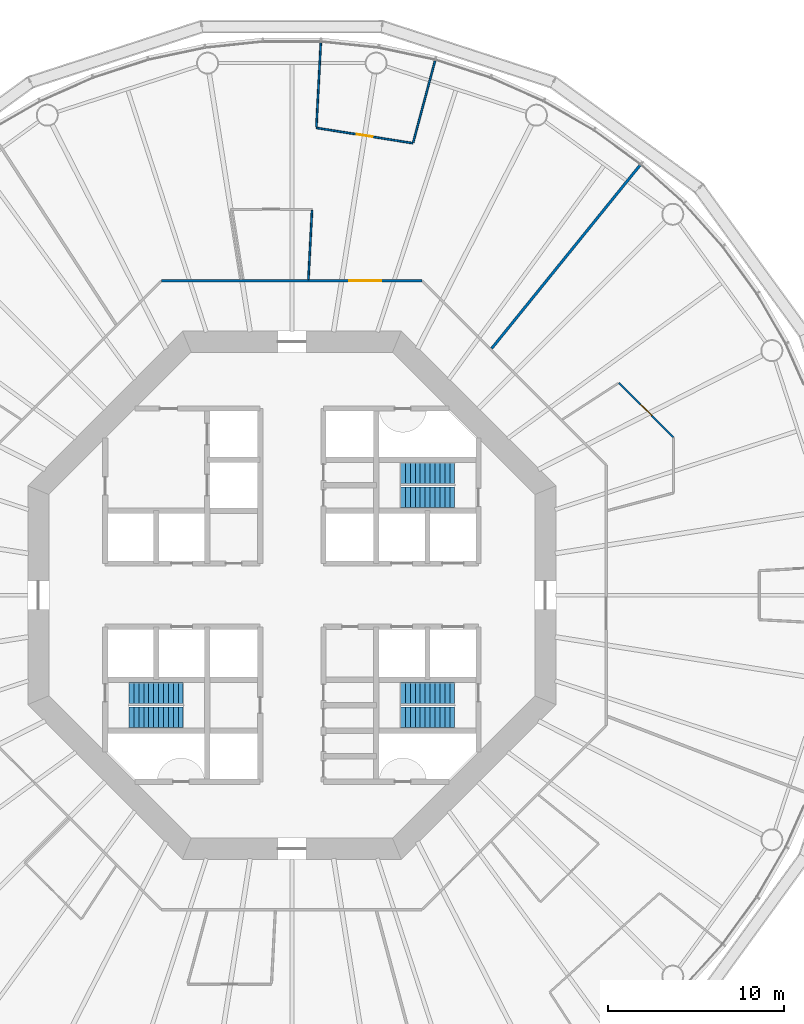
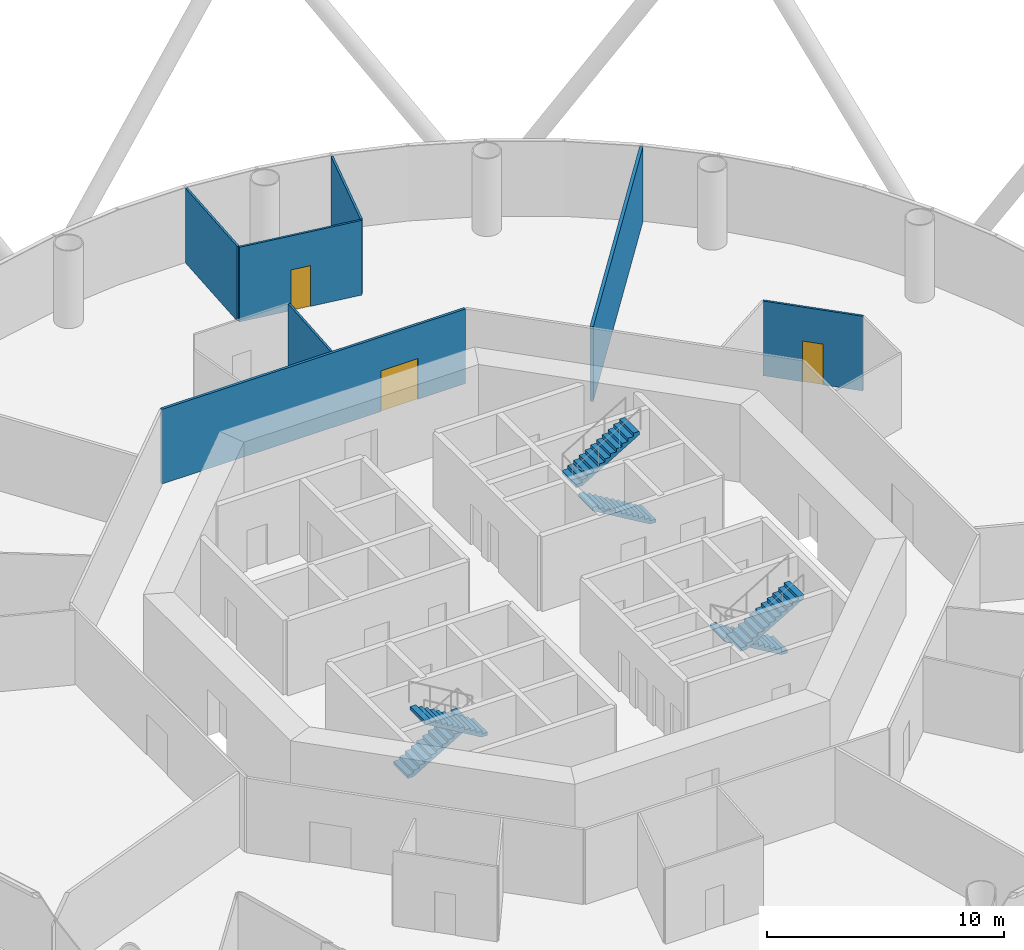
# One storey, part 6 of 13: 7 walls, 6 stair flights, 3 doors, 3 openings, 3 elements without a shape of their own.
"""IFC4 building model written with IfcOpenShell, lengths in metres."""

from ifc_helpers import new_model, si_unit, direction, frame, frame_2d, origin, place, context, subcontext, project, spatial, polyline, rectangle, outline, extrude, material, layer, layer_set, type_object, element, fill, aggregate, save


model = new_model("IFC4")

# Units and contexts
model_context = context("Model", 3, precision=1e-05, world=origin(), true_north=direction((0.0, 1.0)))
body_context = subcontext(model_context, "Body", "Model", "MODEL_VIEW")
ifc_project = project(units=[si_unit("LENGTHUNIT", "METRE"), si_unit("AREAUNIT", "SQUARE_METRE"), si_unit("VOLUMEUNIT", "CUBIC_METRE"), si_unit("PLANEANGLEUNIT", "RADIAN"), si_unit("MASSUNIT", "GRAM", prefix="KILO")], contexts=[model_context])

# Site, building, storey
site_placement = place(None, origin())
site = spatial("IfcSite", under=ifc_project, at=site_placement, CompositionType="ELEMENT")
building_placement = place(site_placement, origin())
building = spatial("IfcBuilding", under=site, at=building_placement, Name="Entoto Ring Tower", CompositionType="ELEMENT")
storey_placement = place(building_placement, frame((0.0, 0.0, 116.0)))
storey = spatial("IfcBuildingStorey", under=building, at=storey_placement, Name="L26", CompositionType="ELEMENT", Elevation=116.0)

# Wall, opening, door
ifc_material_1 = material(Name="Fire-resisting plasterboard on steel studs", Category="steel")
ifc_layer_1 = layer(ifc_material_1, 0.125)
ifc_layer_set_1 = layer_set([ifc_layer_1], Name="Fire-resisting plasterboard on steel studs")
wall_type_1 = type_object("IfcWallType", Name="Corridor wall 125 mm one-hour plasterboard on steel studs", PredefinedType="PARTITIONING", material=ifc_layer_set_1)
wall_1_placement = place(storey_placement, frame((82.60107421875, 97.862548828125, 0.0), z_axis=(0.0, 0.0, 1.0), x_axis=(1.0, 0.0, 0.0)))
wall_1 = element("IfcWall", 1, at=wall_1_placement, inside=storey, type_object=wall_type_1, Name="partition-L26-003", PredefinedType="PARTITIONING", context=body_context, shape_type="SweptSolid", body=[
    extrude(rectangle(XDim=14.7978515625, YDim=0.125, at=frame_2d((7.39892578125, 0.0))), origin(), (0.0, 0.0, 1.0), 3.85009765625),
])
opening_1_placement = place(wall_1_placement, frame((10.66650390625, 0.0, 0.0)))
opening_1 = element("IfcOpeningElement", 2, at=opening_1_placement, cuts=wall_1, Name="Opening A11-D04", PredefinedType="OPENING", context=body_context, shape_type="SweptSolid", body=[
    extrude(rectangle(XDim=1.800048828125, YDim=2.10009765625, at=frame_2d((0.89990234375, 1.050048828125))), frame((0.0, 0.072509765625, 0.0), z_axis=(0.0, -1.0, 0.0), x_axis=(1.0, 0.0, 0.0)), (0.0, 0.0, 1.0), 0.14501953125),
])
ifc_material_2 = material(Name="Fire-resisting timber door set", Category="wood")
door_type_1 = type_object("IfcDoorType", Name="Door 1800 x 2100 double leaf FD30S fire door", OperationType="DOUBLE_DOOR_SINGLE_SWING", PredefinedType="DOOR", material=ifc_material_2)
door_1_placement = place(opening_1_placement, origin())
door_1 = element("IfcDoor", 3, at=door_1_placement, inside=storey, type_object=door_type_1, Name="Door A11-D04", OperationType="DOUBLE_DOOR_SINGLE_SWING", OverallHeight=2.10009765625, OverallWidth=1.800048828125, PredefinedType="DOOR", context=body_context, shape_type="SweptSolid", body=[
    extrude(rectangle(XDim=1.800048828125, YDim=2.10009765625, at=frame_2d((0.89990234375, 1.050048828125))), frame((0.0, 0.02490234375, 0.0), z_axis=(0.0, -1.0, 0.0), x_axis=(1.0, 0.0, 0.0)), (0.0, 0.0, 1.0), 0.050048828125),
])
fill(opening_1, door_1)

ifc_material_3 = material(Name="Plasterboard on steel studs", Category="steel")
ifc_layer_2 = layer(ifc_material_3, 0.10009765625)
ifc_layer_set_2 = layer_set([ifc_layer_2], Name="Plasterboard on steel studs")
wall_type_2 = type_object("IfcWallType", Name="Partition 100 mm plasterboard on steel studs", PredefinedType="PARTITIONING", material=ifc_layer_set_2)
wall_2_placement = place(storey_placement, frame((96.87939453125, 105.67431640625, 0.0), z_axis=(0.0, 0.0, 1.0), x_axis=(-0.987684825381, 0.156456657615, 0.0)))
wall_2 = element("IfcWall", 4, at=wall_2_placement, inside=storey, type_object=wall_type_2, Name="partition-L26-017", PredefinedType="PARTITIONING", context=body_context, shape_type="SweptSolid", body=[
    extrude(rectangle(XDim=5.556640625, YDim=0.10009765625, at=frame_2d((2.7783203125, 0.0))), origin(), (0.0, 0.0, 1.0), 3.85009765625),
])
opening_2_placement = place(wall_2_placement, frame((2.328369140625, 0.0, 0.0)))
opening_2 = element("IfcOpeningElement", 5, at=opening_2_placement, cuts=wall_2, Name="Opening A11-D06", PredefinedType="OPENING", context=body_context, shape_type="SweptSolid", body=[
    extrude(rectangle(XDim=0.89990234375, YDim=2.10009765625, at=frame_2d((0.449951171875, 1.050048828125))), frame((0.0, 0.06005859375, 0.0), z_axis=(0.0, -1.0, 0.0), x_axis=(1.0, 0.0, 0.0)), (0.0, 0.0, 1.0), 0.1201171875),
])
ifc_material_4 = material(Name="Veneered timber door leaf in timber frame", Category="wood")
door_type_2 = type_object("IfcDoorType", Name="Door 900 x 2100 single leaf timber veneer", OperationType="NOTDEFINED", PredefinedType="DOOR", material=ifc_material_4)
door_2_placement = place(opening_2_placement, frame((0.89990234375, 0.0, 0.0), z_axis=(0.0, 0.0, 1.0), x_axis=(-1.0, 0.0, 0.0)))
door_2 = element("IfcDoor", 6, at=door_2_placement, inside=storey, type_object=door_type_2, Name="Door A11-D06", OperationType="SINGLE_SWING_LEFT", OverallHeight=2.10009765625, OverallWidth=0.89990234375, PredefinedType="DOOR", context=body_context, shape_type="SweptSolid", body=[
    extrude(rectangle(XDim=0.89990234375, YDim=2.10009765625, at=frame_2d((0.449951171875, 1.050048828125))), frame((0.0, 0.02490234375, 0.0), z_axis=(0.0, -1.0, 0.0), x_axis=(1.0, 0.0, 0.0)), (0.0, 0.0, 1.0), 0.050048828125),
])
fill(opening_2, door_2)

# Walls
wall_3_placement = place(storey_placement, frame((96.892333984375, 105.722412109375, 0.0), z_axis=(0.0, 0.0, 1.0), x_axis=(0.258802892951, 0.9659301541, 0.0)))
element("IfcWall", 7, at=wall_3_placement, inside=storey, type_object=wall_type_2, Name="partition-L26-018", PredefinedType="PARTITIONING", context=body_context, shape_type="SweptSolid", body=[
    extrude(rectangle(XDim=4.81005859375, YDim=0.10009765625, at=frame_2d((2.405029296875, 0.0))), origin(), (0.0, 0.0, 1.0), 3.85009765625),
])
wall_4_placement = place(storey_placement, frame((91.393798828125, 106.59326171875, 0.0), z_axis=(0.0, 0.0, 1.0), x_axis=(0.052327075125, 0.998630000155, 0.0)))
element("IfcWall", 8, at=wall_4_placement, inside=storey, type_object=wall_type_2, Name="partition-L26-019", PredefinedType="PARTITIONING", context=body_context, shape_type="SweptSolid", body=[
    extrude(rectangle(XDim=4.810302734375, YDim=0.10009765625, at=frame_2d((2.4052734375, 0.0))), origin(), (0.0, 0.0, 1.0), 3.85009765625),
])

# Wall, opening, door
wall_5_placement = place(storey_placement, frame((111.672607421875, 88.97705078125, 0.0), z_axis=(0.0, 0.0, 1.0), x_axis=(-0.707106781187, 0.707106781187, 0.0)))
wall_5 = element("IfcWall", 9, at=wall_5_placement, inside=storey, type_object=wall_type_2, Name="partition-L26-036", PredefinedType="PARTITIONING", context=body_context, shape_type="SweptSolid", body=[
    extrude(rectangle(XDim=4.370361328125, YDim=0.10009765625, at=frame_2d((2.18505859375, 0.0))), origin(), (0.0, 0.0, 1.0), 3.85009765625),
])
opening_3_placement = place(wall_5_placement, frame((1.735107421875, 0.0, 0.0)))
opening_3 = element("IfcOpeningElement", 10, at=opening_3_placement, cuts=wall_5, Name="Opening A11-D02", PredefinedType="OPENING", context=body_context, shape_type="SweptSolid", body=[
    extrude(rectangle(XDim=0.89990234375, YDim=2.10009765625, at=frame_2d((0.449951171875, 1.050048828125))), frame((0.0, 0.06005859375, 0.0), z_axis=(0.0, -1.0, 0.0), x_axis=(1.0, 0.0, 0.0)), (0.0, 0.0, 1.0), 0.1201171875),
])
door_3_placement = place(opening_3_placement, origin())
door_3 = element("IfcDoor", 11, at=door_3_placement, inside=storey, type_object=door_type_2, Name="Door A11-D02", OperationType="SINGLE_SWING_RIGHT", OverallHeight=2.10009765625, OverallWidth=0.89990234375, PredefinedType="DOOR", context=body_context, shape_type="SweptSolid", body=[
    extrude(rectangle(XDim=0.89990234375, YDim=2.10009765625, at=frame_2d((0.449951171875, 1.050048828125))), frame((0.0, 0.02490234375, 0.0), z_axis=(0.0, -1.0, 0.0), x_axis=(1.0, 0.0, 0.0)), (0.0, 0.0, 1.0), 0.050048828125),
])
fill(opening_3, door_3)

# Walls
wall_6_placement = place(storey_placement, frame((90.939453125, 97.927490234375, 0.0), z_axis=(0.0, 0.0, 1.0), x_axis=(0.052327788451, 0.998629962777, 0.0)))
element("IfcWall", 12, at=wall_6_placement, inside=storey, type_object=wall_type_2, Name="partition-L26-040", PredefinedType="PARTITIONING", context=body_context, shape_type="SweptSolid", body=[
    extrude(rectangle(XDim=3.937744140625, YDim=0.10009765625, at=frame_2d((1.96875, 0.0))), origin(), (0.0, 0.0, 1.0), 3.85009765625),
])
ifc_material_5 = material(Name="Fire-resisting acoustic plasterboard on steel studs", Category="steel")
ifc_layer_3 = layer(ifc_material_5, 0.14990234375)
ifc_layer_set_3 = layer_set([ifc_layer_3], Name="Fire-resisting acoustic plasterboard on steel studs")
wall_type_3 = type_object("IfcWallType", Name="Party wall 150 mm one-hour acoustic plasterboard on steel studs", PredefinedType="PARTITIONING", material=ifc_layer_set_3)
wall_7_placement = place(storey_placement, frame((101.34765625, 94.01318359375, 0.0), z_axis=(0.0, 0.0, 1.0), x_axis=(0.629318168553, 0.777147761194, 0.0)))
element("IfcWall", 13, at=wall_7_placement, inside=storey, type_object=wall_type_3, Name="partition-L26-009", PredefinedType="PARTITIONING", context=body_context, shape_type="SweptSolid", body=[
    extrude(rectangle(XDim=13.408447265625, YDim=0.14990234375, at=frame_2d((6.7041015625, 0.0))), origin(), (0.0, 0.0, 1.0), 3.85009765625),
])

# Stair, stair flights
ifc_material_6 = material(Name="Concrete C40/50", Category="concrete")
stair_type = type_object("IfcStairType", Name="Exit stair 1200 mm dog-leg reinforced concrete", PredefinedType="HALF_TURN_STAIR", material=ifc_material_6)
stair_1_placement = place(storey_placement, origin())
stair_1 = element("IfcStair", 14, at=stair_1_placement, inside=storey, type_object=stair_type, Name="Exit stair 1", PredefinedType="HALF_TURN_STAIR")
ifc_material_7 = material(Name="Concrete C40/50", Category="concrete")
stair_flight_type = type_object("IfcStairFlightType", Name="Stair flight 1200 mm reinforced concrete", PredefinedType="STRAIGHT", material=ifc_material_7)
stair_flight_1_placement = place(storey_placement, frame((99.25, 85.550048828125, 0.0), z_axis=(0.0, 0.0, 1.0), x_axis=(-1.0, 0.0, 0.0)))
stair_flight_1 = element("IfcStairFlight", 15, at=stair_flight_1_placement, type_object=stair_flight_type, Name="ST1 flight 1", NumberOfRisers=12, NumberOfTreads=11, PredefinedType="STRAIGHT", RiserHeight=0.166666667, TreadLength=0.28, context=body_context, shape_type="SweptSolid", body=[
    extrude(outline(polyline([(0.0, 0.0), (0.0, 0.166748046875), (0.280029296875, 0.166748046875), (0.280029296875, 0.333251953125), (0.56005859375, 0.333251953125), (0.56005859375, 0.5), (0.840087890625, 0.5), (0.840087890625, 0.666748046875), (1.1201171875, 0.666748046875), (1.1201171875, 0.833251953125), (1.39990234375, 0.833251953125), (1.39990234375, 1.0), (1.679931640625, 1.0), (1.679931640625, 1.166748046875), (1.9599609375, 1.166748046875), (1.9599609375, 1.333251953125), (2.239990234375, 1.333251953125), (2.239990234375, 1.5), (2.52001953125, 1.5), (2.52001953125, 1.666748046875), (2.800048828125, 1.666748046875), (2.800048828125, 1.833251953125), (3.080078125, 1.833251953125), (3.080078125, 2.0), (3.080078125, 1.658935546875), (0.29296875, 0.0), (0.0, 0.0)])), frame((0.0, 0.60009765625, 0.0), z_axis=(0.0, -1.0, 0.0), x_axis=(1.0, 0.0, 0.0)), (0.0, 0.0, 1.0), 1.199951171875),
])
stair_flight_2_placement = place(storey_placement, frame((96.169921875, 86.949951171875, 2.0), z_axis=(0.0, 0.0, 1.0), x_axis=(1.0, 0.0, 0.0)))
stair_flight_2 = element("IfcStairFlight", 16, at=stair_flight_2_placement, type_object=stair_flight_type, Name="ST1 flight 2", NumberOfRisers=12, NumberOfTreads=11, PredefinedType="STRAIGHT", RiserHeight=0.166666667, TreadLength=0.28, context=body_context, shape_type="SweptSolid", body=[
    extrude(outline(polyline([(0.0, 0.0), (0.0, 0.166748046875), (0.280029296875, 0.166748046875), (0.280029296875, 0.333251953125), (0.56005859375, 0.333251953125), (0.56005859375, 0.5), (0.840087890625, 0.5), (0.840087890625, 0.666748046875), (1.1201171875, 0.666748046875), (1.1201171875, 0.833251953125), (1.39990234375, 0.833251953125), (1.39990234375, 1.0), (1.679931640625, 1.0), (1.679931640625, 1.166748046875), (1.9599609375, 1.166748046875), (1.9599609375, 1.333251953125), (2.239990234375, 1.333251953125), (2.239990234375, 1.5), (2.52001953125, 1.5), (2.52001953125, 1.666748046875), (2.800048828125, 1.666748046875), (2.800048828125, 1.833251953125), (3.080078125, 1.833251953125), (3.080078125, 2.0), (3.080078125, 1.658935546875), (0.29296875, 0.0), (0.0, 0.0)])), frame((0.0, 0.60009765625, 0.0), z_axis=(0.0, -1.0, 0.0), x_axis=(1.0, 0.0, 0.0)), (0.0, 0.0, 1.0), 1.199951171875),
])
aggregate(stair_1, [stair_flight_1, stair_flight_2])

stair_2_placement = place(storey_placement, origin())
stair_2 = element("IfcStair", 17, at=stair_2_placement, inside=storey, type_object=stair_type, Name="Exit stair 2", PredefinedType="HALF_TURN_STAIR")
stair_flight_3_placement = place(storey_placement, frame((80.75, 74.449951171875, 0.0), z_axis=(0.0, 0.0, 1.0), x_axis=(1.0, 0.0, 0.0)))
stair_flight_3 = element("IfcStairFlight", 18, at=stair_flight_3_placement, type_object=stair_flight_type, Name="ST2 flight 1", NumberOfRisers=12, NumberOfTreads=11, PredefinedType="STRAIGHT", RiserHeight=0.166666667, TreadLength=0.28, context=body_context, shape_type="SweptSolid", body=[
    extrude(outline(polyline([(0.0, 0.0), (0.0, 0.166748046875), (0.280029296875, 0.166748046875), (0.280029296875, 0.333251953125), (0.56005859375, 0.333251953125), (0.56005859375, 0.5), (0.840087890625, 0.5), (0.840087890625, 0.666748046875), (1.1201171875, 0.666748046875), (1.1201171875, 0.833251953125), (1.39990234375, 0.833251953125), (1.39990234375, 1.0), (1.679931640625, 1.0), (1.679931640625, 1.166748046875), (1.9599609375, 1.166748046875), (1.9599609375, 1.333251953125), (2.239990234375, 1.333251953125), (2.239990234375, 1.5), (2.52001953125, 1.5), (2.52001953125, 1.666748046875), (2.800048828125, 1.666748046875), (2.800048828125, 1.833251953125), (3.080078125, 1.833251953125), (3.080078125, 2.0), (3.080078125, 1.658935546875), (0.29296875, 0.0), (0.0, 0.0)])), frame((0.0, 0.60009765625, 0.0), z_axis=(0.0, -1.0, 0.0), x_axis=(1.0, 0.0, 0.0)), (0.0, 0.0, 1.0), 1.199951171875),
])
stair_flight_4_placement = place(storey_placement, frame((83.830078125, 73.050048828125, 2.0), z_axis=(0.0, 0.0, 1.0), x_axis=(-1.0, 0.0, 0.0)))
stair_flight_4 = element("IfcStairFlight", 19, at=stair_flight_4_placement, type_object=stair_flight_type, Name="ST2 flight 2", NumberOfRisers=12, NumberOfTreads=11, PredefinedType="STRAIGHT", RiserHeight=0.166666667, TreadLength=0.28, context=body_context, shape_type="SweptSolid", body=[
    extrude(outline(polyline([(0.0, 0.0), (0.0, 0.166748046875), (0.280029296875, 0.166748046875), (0.280029296875, 0.333251953125), (0.56005859375, 0.333251953125), (0.56005859375, 0.5), (0.840087890625, 0.5), (0.840087890625, 0.666748046875), (1.1201171875, 0.666748046875), (1.1201171875, 0.833251953125), (1.39990234375, 0.833251953125), (1.39990234375, 1.0), (1.679931640625, 1.0), (1.679931640625, 1.166748046875), (1.9599609375, 1.166748046875), (1.9599609375, 1.333251953125), (2.239990234375, 1.333251953125), (2.239990234375, 1.5), (2.52001953125, 1.5), (2.52001953125, 1.666748046875), (2.800048828125, 1.666748046875), (2.800048828125, 1.833251953125), (3.080078125, 1.833251953125), (3.080078125, 2.0), (3.080078125, 1.658935546875), (0.29296875, 0.0), (0.0, 0.0)])), frame((0.0, 0.60009765625, 0.0), z_axis=(0.0, -1.0, 0.0), x_axis=(1.0, 0.0, 0.0)), (0.0, 0.0, 1.0), 1.199951171875),
])
aggregate(stair_2, [stair_flight_3, stair_flight_4])

stair_3_placement = place(storey_placement, origin())
stair_3 = element("IfcStair", 20, at=stair_3_placement, inside=storey, type_object=stair_type, Name="Exit stair 3", PredefinedType="HALF_TURN_STAIR")
stair_flight_5_placement = place(storey_placement, frame((99.25, 74.449951171875, 0.0), z_axis=(0.0, 0.0, 1.0), x_axis=(-1.0, 0.0, 0.0)))
stair_flight_5 = element("IfcStairFlight", 21, at=stair_flight_5_placement, type_object=stair_flight_type, Name="ST3 flight 1", NumberOfRisers=12, NumberOfTreads=11, PredefinedType="STRAIGHT", RiserHeight=0.166666667, TreadLength=0.28, context=body_context, shape_type="SweptSolid", body=[
    extrude(outline(polyline([(0.0, 0.0), (0.0, 0.166748046875), (0.280029296875, 0.166748046875), (0.280029296875, 0.333251953125), (0.56005859375, 0.333251953125), (0.56005859375, 0.5), (0.840087890625, 0.5), (0.840087890625, 0.666748046875), (1.1201171875, 0.666748046875), (1.1201171875, 0.833251953125), (1.39990234375, 0.833251953125), (1.39990234375, 1.0), (1.679931640625, 1.0), (1.679931640625, 1.166748046875), (1.9599609375, 1.166748046875), (1.9599609375, 1.333251953125), (2.239990234375, 1.333251953125), (2.239990234375, 1.5), (2.52001953125, 1.5), (2.52001953125, 1.666748046875), (2.800048828125, 1.666748046875), (2.800048828125, 1.833251953125), (3.080078125, 1.833251953125), (3.080078125, 2.0), (3.080078125, 1.658935546875), (0.29296875, 0.0), (0.0, 0.0)])), frame((0.0, 0.60009765625, 0.0), z_axis=(0.0, -1.0, 0.0), x_axis=(1.0, 0.0, 0.0)), (0.0, 0.0, 1.0), 1.199951171875),
])
stair_flight_6_placement = place(storey_placement, frame((96.169921875, 73.050048828125, 2.0), z_axis=(0.0, 0.0, 1.0), x_axis=(1.0, 0.0, 0.0)))
stair_flight_6 = element("IfcStairFlight", 22, at=stair_flight_6_placement, type_object=stair_flight_type, Name="ST3 flight 2", NumberOfRisers=12, NumberOfTreads=11, PredefinedType="STRAIGHT", RiserHeight=0.166666667, TreadLength=0.28, context=body_context, shape_type="SweptSolid", body=[
    extrude(outline(polyline([(0.0, 0.0), (0.0, 0.166748046875), (0.280029296875, 0.166748046875), (0.280029296875, 0.333251953125), (0.56005859375, 0.333251953125), (0.56005859375, 0.5), (0.840087890625, 0.5), (0.840087890625, 0.666748046875), (1.1201171875, 0.666748046875), (1.1201171875, 0.833251953125), (1.39990234375, 0.833251953125), (1.39990234375, 1.0), (1.679931640625, 1.0), (1.679931640625, 1.166748046875), (1.9599609375, 1.166748046875), (1.9599609375, 1.333251953125), (2.239990234375, 1.333251953125), (2.239990234375, 1.5), (2.52001953125, 1.5), (2.52001953125, 1.666748046875), (2.800048828125, 1.666748046875), (2.800048828125, 1.833251953125), (3.080078125, 1.833251953125), (3.080078125, 2.0), (3.080078125, 1.658935546875), (0.29296875, 0.0), (0.0, 0.0)])), frame((0.0, 0.60009765625, 0.0), z_axis=(0.0, -1.0, 0.0), x_axis=(1.0, 0.0, 0.0)), (0.0, 0.0, 1.0), 1.199951171875),
])
aggregate(stair_3, [stair_flight_5, stair_flight_6])

save(model, "model.ifc")
